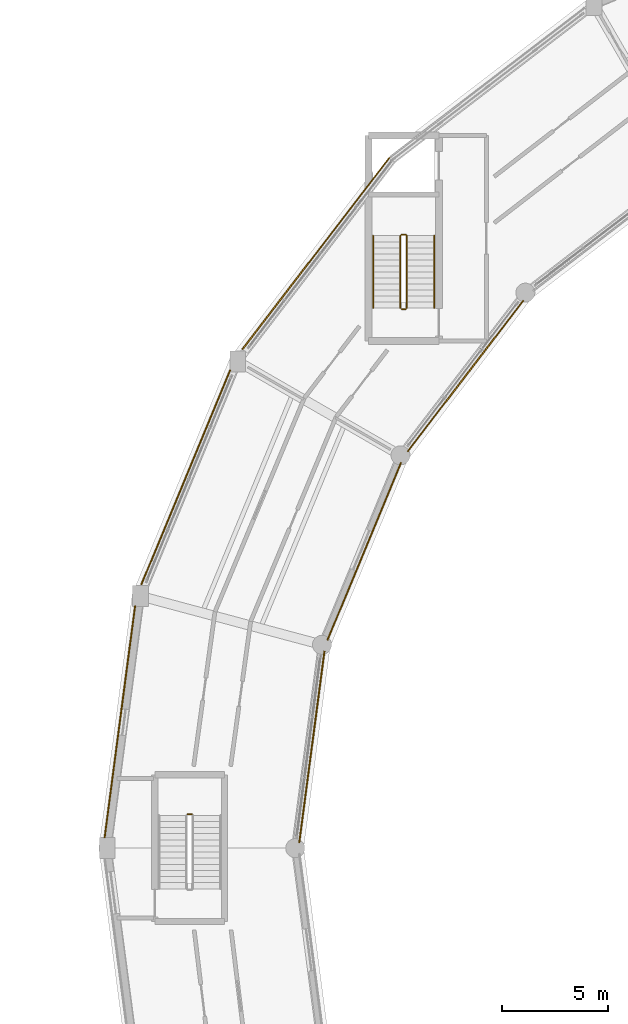
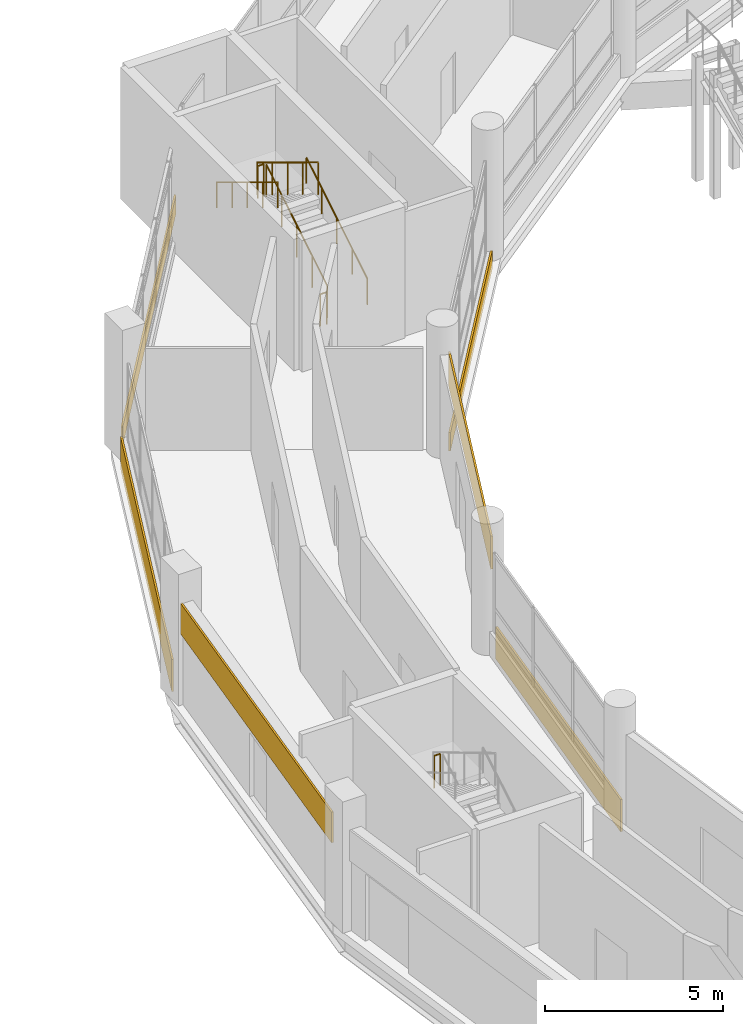
# One storey, part 121 of 129: 7 railings, 6 coverings.
"""IFC4 building model written with IfcOpenShell, lengths in metres."""

import ifcopenshell
import ifcopenshell.guid

model = None  # the IFC model being written
_history = None  # IfcOwnerHistory: only IFC2X3 demands one
_inside = {}  # id of a spatial element -> (the spatial element, [elements in it])
_under = {}  # id of a project, library or spatial element -> (it, [spatial elements below it])
_declared = {}  # id of a project -> (the project, [libraries it declares])
_typed = {}  # id of a type object -> (the type object, [elements of that type])
_made_of = {}  # id of a material, layer set ... -> (it, [elements and type objects made of it])


def new_model(schema):
    """Start an empty IFC model of exactly this schema.

    Asked for "IFC4X3", IfcOpenShell would pick the latest addendum, in which some entities
    have other attributes; the version numbers below select the first issue.
    IFC2X3 requires an IfcOwnerHistory on every rooted entity: one is made here for all.
    """
    global model, _history
    if schema == "IFC4X3":
        model = ifcopenshell.file(schema_version=(4, 3, 0, 0))
    else:
        model = ifcopenshell.file(schema=schema)
    _inside.clear()
    _under.clear()
    _declared.clear()
    _typed.clear()
    _made_of.clear()
    _history = None
    if model.schema == "IFC2X3":
        org = make("IfcOrganization", Name="unknown")
        user = make(
            "IfcPersonAndOrganization",
            ThePerson=make("IfcPerson", FamilyName="unknown"),
            TheOrganization=org,
        )
        app = make(
            "IfcApplication",
            ApplicationDeveloper=org,
            Version="unknown",
            ApplicationFullName="unknown",
            ApplicationIdentifier="unknown",
        )
        _history = make(
            "IfcOwnerHistory",
            OwningUser=user,
            OwningApplication=app,
            ChangeAction="ADDED",
            CreationDate=0,
        )
    return model


def make(cls, **values):
    """One entity of the class cls with the attributes given. An attribute that is None is left unset."""
    return model.create_entity(
        cls, **{name: value for name, value in values.items() if value is not None}
    )


def rooted(cls, **values):
    """An entity with a GlobalId (a new one), such as an element, a storey or a relation."""
    return make(cls, GlobalId=ifcopenshell.guid.new(), OwnerHistory=_history, **values)


def si_unit(unit_type, name, prefix=None):
    """IfcSIUnit, for example si_unit("LENGTHUNIT", "METRE", prefix="MILLI")."""
    return make("IfcSIUnit", UnitType=unit_type, Prefix=prefix, Name=name)


def assignment(units):
    """IfcUnitAssignment: the units of a project."""
    return None if units is None else make("IfcUnitAssignment", Units=units)


def point(xyz):
    """IfcCartesianPoint."""
    return None if xyz is None else make("IfcCartesianPoint", Coordinates=xyz)


def direction(xyz):
    """IfcDirection."""
    return None if xyz is None else make("IfcDirection", DirectionRatios=xyz)


def frame(location, z_axis=None, x_axis=None):
    """IfcAxis2Placement3D, a coordinate frame: its origin and axes. An axis left out is left unset."""
    return make(
        "IfcAxis2Placement3D",
        Location=point(location),
        Axis=direction(z_axis),
        RefDirection=direction(x_axis),
    )


def frame_2d(location, x_axis=None):
    """IfcAxis2Placement2D, a coordinate frame in the plane: its origin and x axis."""
    return make(
        "IfcAxis2Placement2D", Location=point(location), RefDirection=direction(x_axis)
    )


def origin():
    """The frame at (0, 0, 0) with its axes left unset."""
    return frame((0.0, 0.0, 0.0))


def origin_2d():
    """The frame at (0, 0) in the plane with its x axis left unset."""
    return frame_2d((0.0, 0.0))


def place(relative_to, where):
    """IfcLocalPlacement: puts the frame where relative to a parent placement (None: the world)."""
    return make(
        "IfcLocalPlacement", PlacementRelTo=relative_to, RelativePlacement=where
    )


def context(
    kind, dimensions, precision=None, world=None, true_north=None, identifier=None
):
    """IfcGeometricRepresentationContext, for example the 3D "Model" context."""
    return make(
        "IfcGeometricRepresentationContext",
        ContextIdentifier=identifier,
        ContextType=kind,
        CoordinateSpaceDimension=dimensions,
        Precision=precision,
        WorldCoordinateSystem=world,
        TrueNorth=true_north,
    )


def subcontext(parent, identifier, kind, view, scale=None):
    """IfcGeometricRepresentationSubContext, for example "Body" below "Model"."""
    return make(
        "IfcGeometricRepresentationSubContext",
        ContextIdentifier=identifier,
        ContextType=kind,
        ParentContext=parent,
        TargetScale=scale,
        TargetView=view,
    )


def project(units=None, contexts=None):
    """IfcProject with its units and contexts."""
    return rooted(
        "IfcProject",
        Name="project",
        RepresentationContexts=contexts,
        UnitsInContext=assignment(units),
    )


def spatial(cls, under=None, at=None, **own):
    """A site, building, storey or space (cls), placed at a placement, below another one or the project."""
    s = rooted(cls, ObjectPlacement=at, **own)
    if under is not None:
        _under.setdefault(under.id(), (under, []))[1].append(s)
    return s


def profile(cls, at=None, kind="AREA", **sizes):
    """A parametric profile (cls). Its sizes go by their IFC names, for example OverallWidth=200.0."""
    return make(cls, ProfileType=kind, Position=at, **sizes)


def rectangle(**sizes):
    """IfcRectangleProfileDef."""
    return profile("IfcRectangleProfileDef", **sizes)


def circle(**sizes):
    """IfcCircleProfileDef."""
    return profile("IfcCircleProfileDef", **sizes)


def extrude(swept, where, along, depth):
    """IfcExtrudedAreaSolid: the profile swept, set in the frame where, extruded along a direction by depth."""
    return make(
        "IfcExtrudedAreaSolid",
        SweptArea=swept,
        Position=where,
        ExtrudedDirection=direction(along),
        Depth=depth,
    )


def shape(context_of_items, identifier, shape_type, items):
    """IfcShapeRepresentation: the items that make up one representation, for example the "Body"."""
    return make(
        "IfcShapeRepresentation",
        ContextOfItems=context_of_items,
        RepresentationIdentifier=identifier,
        RepresentationType=shape_type,
        Items=items,
    )


def material(Name=None, Category=None):
    """IfcMaterial."""
    return make("IfcMaterial", Name=Name, Category=Category)


def layer(
    of_material, thickness, ventilated=None, Name=None, Category=None, Priority=None
):
    """IfcMaterialLayer: one layer of a wall or slab, of a material (None: an air gap)."""
    return make(
        "IfcMaterialLayer",
        Material=of_material,
        LayerThickness=thickness,
        IsVentilated=ventilated,
        Name=Name,
        Category=Category,
        Priority=Priority,
    )


def layer_set(layers, Name=None):
    """IfcMaterialLayerSet."""
    return make("IfcMaterialLayerSet", MaterialLayers=layers, LayerSetName=Name)


def made_of(thing, what):
    """Note that an element or type object is made of a material, layer set ...; save() writes the relation."""
    if what is not None:
        _made_of.setdefault(what.id(), (what, []))[1].append(thing)
    return thing


def type_object(cls, material=None, **own):
    """A type object (cls), such as IfcWallType, which elements share."""
    return made_of(rooted(cls, **own), material)


def element(
    cls,
    number,
    at=None,
    inside=None,
    cuts=None,
    type_object=None,
    material=None,
    context=None,
    identifier="Body",
    shape_type=None,
    held_by="IfcProductDefinitionShape",
    body=None,
    shapes=None,
    **own,
):
    """One element of the class cls, such as IfcWall. Its Tag is "e" and its number.

    at: its placement. inside: the storey or other place that contains it. cuts: it is an
    opening in that element (IfcRelVoidsElement). A single representation is given by context,
    identifier, shape_type and body (its items); several are given by shapes. held_by: the class
    of the entity that holds the representations. save() writes the other relations.
    """
    e = rooted(cls, Tag="e%d" % number, ObjectPlacement=at, **own)
    if body is not None:
        shapes = [shape(context, identifier, shape_type, body)]
    if shapes is not None:
        e.Representation = make(held_by, Representations=shapes)
    if inside is not None:
        _inside.setdefault(inside.id(), (inside, []))[1].append(e)
    if cuts is not None:
        rooted(
            "IfcRelVoidsElement", RelatingBuildingElement=cuts, RelatedOpeningElement=e
        )
    if type_object is not None:
        _typed.setdefault(type_object.id(), (type_object, []))[1].append(e)
    return made_of(e, material)


def aggregate(whole, parts):
    """IfcRelAggregates: a whole, such as a stair, and the parts it consists of."""
    return rooted("IfcRelAggregates", RelatingObject=whole, RelatedObjects=parts)


def save(model, path):
    """Write the relations noted so far, then the file.

    IfcRelAggregates (storeys below a building ...), IfcRelContainedInSpatialStructure (elements
    in a storey), IfcRelDefinesByType, IfcRelAssociatesMaterial and IfcRelDeclares: one each for
    every whole, place, type object, material and project.
    """
    for whole, parts in _under.values():
        aggregate(whole, parts)
    for where, things in _inside.values():
        rooted(
            "IfcRelContainedInSpatialStructure",
            RelatedElements=things,
            RelatingStructure=where,
        )
    for kind, things in _typed.values():
        rooted("IfcRelDefinesByType", RelatedObjects=things, RelatingType=kind)
    for what, things in _made_of.values():
        rooted("IfcRelAssociatesMaterial", RelatedObjects=things, RelatingMaterial=what)
    for by, libraries in _declared.values():
        rooted("IfcRelDeclares", RelatingContext=by, RelatedDefinitions=libraries)
    model.write(path)


model = new_model("IFC4")

# Units and contexts
model_context = context("Model", 3, precision=1e-05, world=origin(), true_north=direction((0.0, 1.0)))
body_context = subcontext(model_context, "Body", "Model", "MODEL_VIEW")
ifc_project = project(units=[si_unit("LENGTHUNIT", "METRE"), si_unit("AREAUNIT", "SQUARE_METRE"), si_unit("VOLUMEUNIT", "CUBIC_METRE"), si_unit("PLANEANGLEUNIT", "RADIAN"), si_unit("MASSUNIT", "GRAM", prefix="KILO")], contexts=[model_context])

# Site, building, storey
site_placement = place(None, origin())
site = spatial("IfcSite", under=ifc_project, at=site_placement, CompositionType="ELEMENT")
building_placement = place(site_placement, origin())
building = spatial("IfcBuilding", under=site, at=building_placement, Name="Vespera Passage Community Centre", CompositionType="ELEMENT")
storey_placement = place(building_placement, origin())
storey = spatial("IfcBuildingStorey", under=building, at=storey_placement, Name="L00", CompositionType="ELEMENT", Elevation=0.0)

# Coverings
ifc_material_1 = material(Name="Precast concrete f'c 40 MPa", Category="concrete")
ifc_layer = layer(ifc_material_1, 0.06005859375)
ifc_layer_set = layer_set([ifc_layer], Name="Precast concrete f'c 40 MPa")
covering_type = type_object("IfcCoveringType", Name="COV-CLAD-60E", PredefinedType="CLADDING", material=ifc_layer_set)
covering_1_placement = place(storey_placement, frame((38.301025390625, 89.122314453125, -0.280029296875), z_axis=(0.0, 0.0, 1.0), x_axis=(0.608766951842, 0.793349102441, 0.0)))
element("IfcCovering", 1, at=covering_1_placement, inside=storey, type_object=covering_type, Name="V4 L00 Outer White Spandrel Band O9", PredefinedType="CLADDING", context=body_context, shape_type="SweptSolid", body=[
    extrude(rectangle(XDim=11.443603515625, YDim=0.06005859375, at=frame_2d((5.7216796875, 0.0))), origin(), (0.0, 0.0, 1.0), 0.630126953125),
])
covering_2_placement = place(storey_placement, frame((51.603515625, 91.4296875, -0.280029296875), z_axis=(0.0, 0.0, 1.0), x_axis=(-0.608765610033, -0.793350132061, 0.0)))
element("IfcCovering", 2, at=covering_2_placement, inside=storey, type_object=covering_type, Name="V4 L00 Inner Court White Spandrel Band I9", PredefinedType="CLADDING", context=body_context, shape_type="SweptSolid", body=[
    extrude(rectangle(XDim=9.004638671875, YDim=0.06005859375, at=frame_2d((4.50244140625, 0.0))), origin(), (0.0, 0.0, 1.0), 0.630126953125),
])
covering_3_placement = place(storey_placement, frame((33.51123046875, 77.9736328125, -0.280029296875), z_axis=(0.0, 0.0, 1.0), x_axis=(0.382695413149, 0.923874569817, 0.0)))
element("IfcCovering", 3, at=covering_3_placement, inside=storey, type_object=covering_type, Name="V4 L00 Outer White Spandrel Band O10", PredefinedType="CLADDING", context=body_context, shape_type="SweptSolid", body=[
    extrude(rectangle(XDim=11.002197265625, YDim=0.06005859375, at=frame_2d((5.5009765625, 0.0))), origin(), (0.0, 0.0, 1.0), 1.10009765625),
])
covering_4_placement = place(storey_placement, frame((45.8125, 83.763916015625, 2.419921875), z_axis=(0.0, 0.0, 1.0), x_axis=(-0.38269491658, -0.92387477551, 0.0)))
element("IfcCovering", 4, at=covering_4_placement, inside=storey, type_object=covering_type, Name="V4 L00 Court Portal White Band I10", PredefinedType="CLADDING", context=body_context, shape_type="SweptSolid", body=[
    extrude(rectangle(XDim=9.11181640625, YDim=0.06005859375, at=frame_2d((4.555908203125, 0.0))), origin(), (0.0, 0.0, 1.0), 1.12939453125),
])
covering_5_placement = place(storey_placement, frame((31.774169921875, 66.0, 2.419921875), z_axis=(0.0, 0.0, 1.0), x_axis=(0.130513242145, 0.991446566197, 0.0)))
element("IfcCovering", 5, at=covering_5_placement, inside=storey, type_object=covering_type, Name="V4 L00 Portal White Fascia O11", PredefinedType="CLADDING", context=body_context, shape_type="SweptSolid", body=[
    extrude(rectangle(XDim=11.075927734375, YDim=0.06005859375, at=frame_2d((5.5380859375, 0.0))), origin(), (0.0, 0.0, 1.0), 1.045654296875),
])
covering_6_placement = place(storey_placement, frame((42.18505859375, 74.832763671875, -0.280029296875), z_axis=(0.0, 0.0, 1.0), x_axis=(-0.13052003772, -0.99144567161, 0.0)))
element("IfcCovering", 6, at=covering_6_placement, inside=storey, type_object=covering_type, Name="V4 L00 Inner Court White Spandrel Band I11", PredefinedType="CLADDING", context=body_context, shape_type="SweptSolid", body=[
    extrude(rectangle(XDim=9.15625, YDim=0.06005859375, at=frame_2d((4.578125, 0.0))), origin(), (0.0, 0.0, 1.0), 1.10009765625),
])

# Railings
ifc_material_2 = material(Name="Steel ASTM A500 Grade C", Category="steel")
railing_type_1 = type_object("IfcRailingType", Name="RL-HAND-900I", PredefinedType="HANDRAIL", material=ifc_material_2)
railing_1_placement = place(storey_placement, frame((47.383056640625, 91.077880859375, 0.173095703125)))
element("IfcRailing", 7, at=railing_1_placement, inside=storey, type_object=railing_type_1, Name="L00 ST03 stair handrail 1", PredefinedType="HANDRAIL", context=body_context, shape_type="SweptSolid", body=[
    extrude(circle(Radius=0.02392578125, at=origin_2d()), frame((0.0, 0.0, 0.8759765625), z_axis=(0.0, 0.854745945586, 0.519046595696), x_axis=(-1.0, 0.0, 0.0)), (0.0, 0.0, 1.0), 4.00146484375),
    extrude(circle(Radius=0.02099609375, at=origin_2d()), origin(), (0.0, 0.0, 1.0), 0.851806640625),
    extrude(circle(Radius=0.02099609375, at=origin_2d()), frame((0.0, 0.85498046875, 0.519287109375)), (0.0, 0.0, 1.0), 0.851806640625),
    extrude(circle(Radius=0.02099609375, at=origin_2d()), frame((0.0, 1.7099609375, 1.03857421875)), (0.0, 0.0, 1.0), 0.851806640625),
    extrude(circle(Radius=0.02099609375, at=origin_2d()), frame((0.0, 2.565185546875, 1.5576171875)), (0.0, 0.0, 1.0), 0.851806640625),
    extrude(circle(Radius=0.02099609375, at=origin_2d()), frame((0.0, 3.420166015625, 2.076904296875)), (0.0, 0.0, 1.0), 0.851806640625),
])
railing_2_placement = place(storey_placement, frame((44.48291015625, 94.498046875, 2.423095703125)))
element("IfcRailing", 8, at=railing_2_placement, inside=storey, type_object=railing_type_1, Name="L00 ST03 stair handrail 2", PredefinedType="HANDRAIL", context=body_context, shape_type="SweptSolid", body=[
    extrude(circle(Radius=0.02392578125, at=origin_2d()), frame((0.0, 0.0, 0.8759765625), z_axis=(0.0, -0.854745945586, 0.519046595696), x_axis=(1.0, 0.0, 0.0)), (0.0, 0.0, 1.0), 4.00146484375),
    extrude(circle(Radius=0.02099609375, at=origin_2d()), origin(), (0.0, 0.0, 1.0), 0.851806640625),
    extrude(circle(Radius=0.02099609375, at=origin_2d()), frame((0.0, -0.85498046875, 0.519287109375)), (0.0, 0.0, 1.0), 0.851806640625),
    extrude(circle(Radius=0.02099609375, at=origin_2d()), frame((0.0, -1.7099609375, 1.03857421875)), (0.0, 0.0, 1.0), 0.851806640625),
    extrude(circle(Radius=0.02099609375, at=origin_2d()), frame((0.0, -2.565185546875, 1.5576171875)), (0.0, 0.0, 1.0), 0.851806640625),
    extrude(circle(Radius=0.02099609375, at=origin_2d()), frame((0.0, -3.420166015625, 2.076904296875)), (0.0, 0.0, 1.0), 0.851806640625),
])
ifc_material_3 = material(Name="Steel ASTM A500 Grade C", Category="steel")
railing_type_2 = type_object("IfcRailingType", Name="RL-STAIR-1100I", PredefinedType="GUARDRAIL", material=ifc_material_3)
railing_3_placement = place(storey_placement, frame((46.0830078125, 91.077880859375, 0.173095703125)))
element("IfcRailing", 9, at=railing_3_placement, inside=storey, type_object=railing_type_2, Name="L00 ST03 stair guard 1", PredefinedType="GUARDRAIL", context=body_context, shape_type="SweptSolid", body=[
    extrude(circle(Radius=0.02392578125, at=origin_2d()), frame((0.0, 0.0, 1.09619140625), z_axis=(0.0, 0.854745945586, 0.519046595696), x_axis=(-1.0, 0.0, 0.0)), (0.0, 0.0, 1.0), 4.00146484375),
    extrude(circle(Radius=0.02099609375, at=origin_2d()), origin(), (0.0, 0.0, 1.0), 1.072021484375),
    extrude(circle(Radius=0.02099609375, at=origin_2d()), frame((0.0, 0.85498046875, 0.519287109375)), (0.0, 0.0, 1.0), 1.072021484375),
    extrude(circle(Radius=0.02099609375, at=origin_2d()), frame((0.0, 1.7099609375, 1.03857421875)), (0.0, 0.0, 1.0), 1.072021484375),
    extrude(circle(Radius=0.02099609375, at=origin_2d()), frame((0.0, 2.565185546875, 1.5576171875)), (0.0, 0.0, 1.0), 1.072021484375),
    extrude(circle(Radius=0.02099609375, at=origin_2d()), frame((0.0, 3.420166015625, 2.076904296875)), (0.0, 0.0, 1.0), 1.072021484375),
])
railing_4_placement = place(storey_placement, frame((46.032958984375, 94.548095703125, 2.25)))
element("IfcRailing", 10, at=railing_4_placement, inside=storey, type_object=railing_type_2, Name="L00 ST03 stair guard 2", PredefinedType="GUARDRAIL", context=body_context, shape_type="SweptSolid", body=[
    extrude(circle(Radius=0.02392578125, at=origin_2d()), frame((0.0, 0.0, 1.09619140625), z_axis=(-1.0, 0.0, 0.0), x_axis=(0.0, -1.0, 0.0)), (0.0, 0.0, 1.0), 0.199951171875),
    extrude(circle(Radius=0.02099609375, at=origin_2d()), origin(), (0.0, 0.0, 1.0), 1.072021484375),
    extrude(circle(Radius=0.02099609375, at=origin_2d()), frame((-0.199951171875, 0.0, 0.0)), (0.0, 0.0, 1.0), 1.072021484375),
])
railing_5_placement = place(storey_placement, frame((45.782958984375, 94.498046875, 2.423095703125)))
element("IfcRailing", 11, at=railing_5_placement, inside=storey, type_object=railing_type_2, Name="L00 ST03 stair guard 3", PredefinedType="GUARDRAIL", context=body_context, shape_type="SweptSolid", body=[
    extrude(circle(Radius=0.02392578125, at=origin_2d()), frame((0.0, 0.0, 1.09619140625), z_axis=(0.0, -0.854745945586, 0.519046595696), x_axis=(1.0, 0.0, 0.0)), (0.0, 0.0, 1.0), 4.00146484375),
    extrude(circle(Radius=0.02099609375, at=origin_2d()), origin(), (0.0, 0.0, 1.0), 1.072021484375),
    extrude(circle(Radius=0.02099609375, at=origin_2d()), frame((0.0, -0.85498046875, 0.519287109375)), (0.0, 0.0, 1.0), 1.072021484375),
    extrude(circle(Radius=0.02099609375, at=origin_2d()), frame((0.0, -1.7099609375, 1.03857421875)), (0.0, 0.0, 1.0), 1.072021484375),
    extrude(circle(Radius=0.02099609375, at=origin_2d()), frame((0.0, -2.565185546875, 1.5576171875)), (0.0, 0.0, 1.0), 1.072021484375),
    extrude(circle(Radius=0.02099609375, at=origin_2d()), frame((0.0, -3.420166015625, 2.076904296875)), (0.0, 0.0, 1.0), 1.072021484375),
])
for number, where, name in (
    (12, (46.032958984375, 91.028076171875, 0.0), "L00 ST03 stair guard 4"),
    (13, (35.89990234375, 67.10498046875, 2.25), "L00 ST04 stair guard 2"),
):
    element("IfcRailing", number, at=place(storey_placement, frame(where)), inside=storey, type_object=railing_type_2, Name=name, PredefinedType="GUARDRAIL", context=body_context, shape_type="SweptSolid", body=[
        extrude(circle(Radius=0.02392578125, at=origin_2d()), frame((0.0, 0.0, 1.09619140625), z_axis=(-1.0, 0.0, 0.0), x_axis=(0.0, -1.0, 0.0)), (0.0, 0.0, 1.0), 0.199951171875),
        extrude(circle(Radius=0.02099609375, at=origin_2d()), origin(), (0.0, 0.0, 1.0), 1.072021484375),
        extrude(circle(Radius=0.02099609375, at=origin_2d()), frame((-0.199951171875, 0.0, 0.0)), (0.0, 0.0, 1.0), 1.072021484375),
    ])

save(model, "model.ifc")
